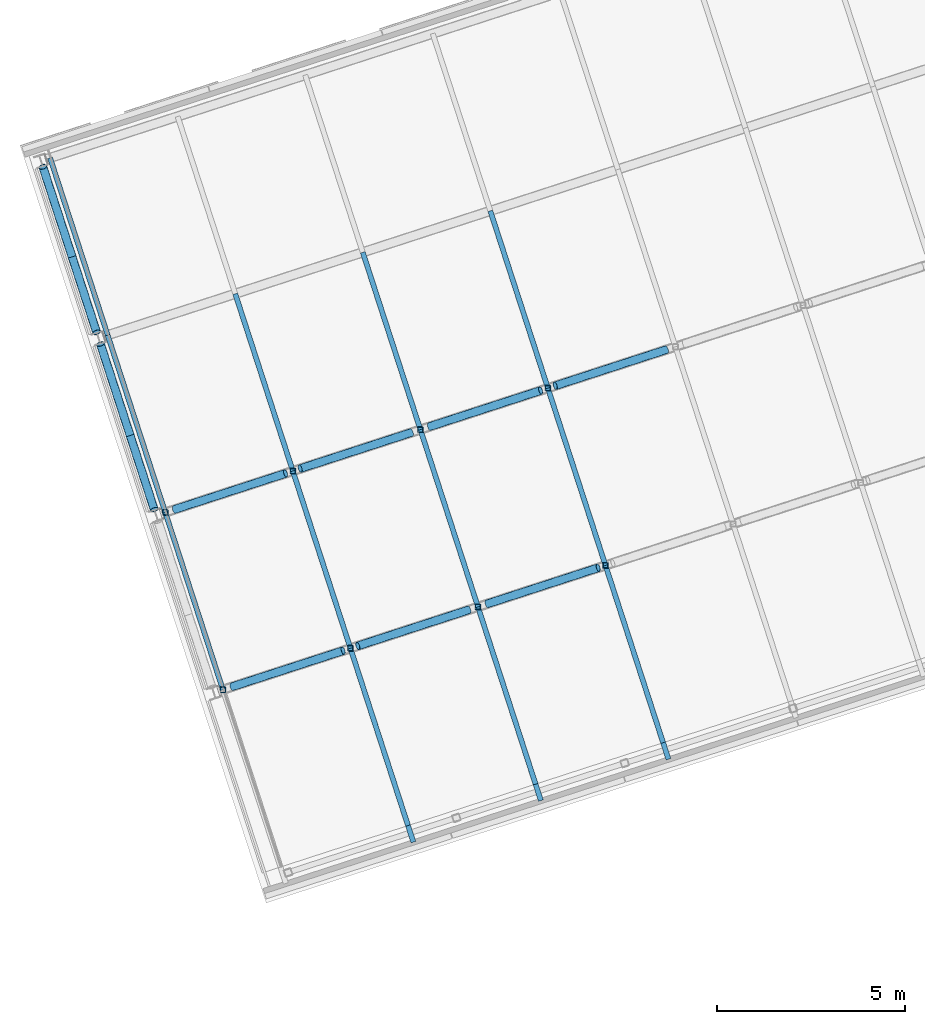
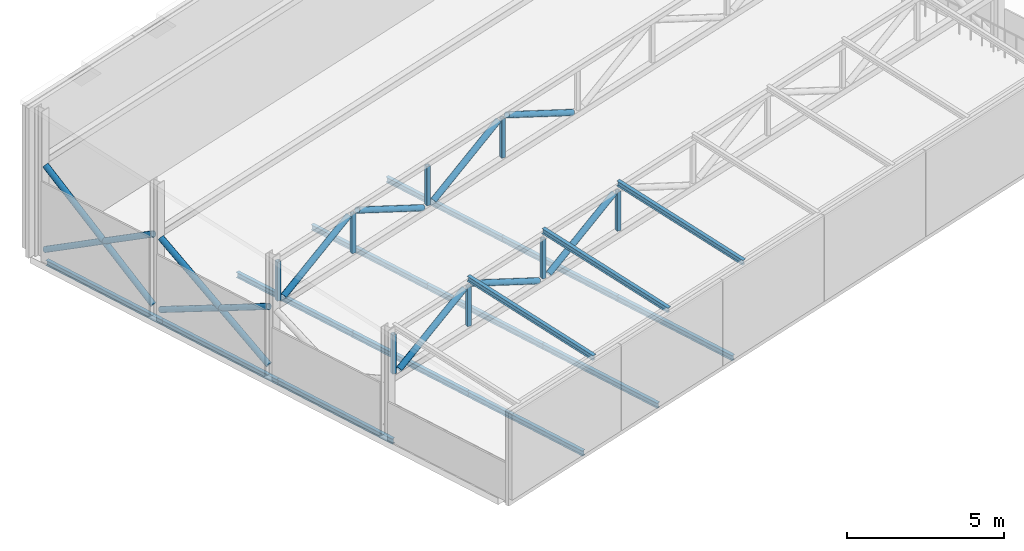
# One storey, part 5 of 49: 34 members.
"""IFC4 building model written with IfcOpenShell, lengths in metres."""

from ifc_helpers import new_model, si_unit, direction, frame, origin, origin_2d, place, context, subcontext, project, spatial, hollow_rectangle, hollow_circle, i_section, extrude, material, material_profile, profile_set, type_object, element, save


model = new_model("IFC4")

# Units and contexts
model_context = context("Model", 3, precision=1e-05, world=origin(), true_north=direction((0.0, 1.0)))
body_context = subcontext(model_context, "Body", "Model", "MODEL_VIEW")
ifc_project = project(units=[si_unit("LENGTHUNIT", "METRE"), si_unit("AREAUNIT", "SQUARE_METRE"), si_unit("VOLUMEUNIT", "CUBIC_METRE"), si_unit("PLANEANGLEUNIT", "RADIAN"), si_unit("MASSUNIT", "GRAM", prefix="KILO")], contexts=[model_context])

# Site, building, storey
site_placement = place(None, origin())
site = spatial("IfcSite", under=ifc_project, at=site_placement, CompositionType="ELEMENT")
building_placement = place(site_placement, origin())
building = spatial("IfcBuilding", under=site, at=building_placement, Name="Tuart Plaza Theatre", CompositionType="ELEMENT")
storey_placement = place(building_placement, frame((0.0, 0.0, 29.5)))
storey = spatial("IfcBuildingStorey", under=building, at=storey_placement, Name="L07", CompositionType="ELEMENT", Elevation=29.5)

# Members
ifc_material_1 = material(Name="Steel Grade C350L0", Category="steel")
ifc_material_profile_1 = material_profile(ifc_material_1, hollow_circle(Radius=0.109619140625, WallThickness=0.00830078125, at=origin_2d()), Name="219.1x8.2 CHS")
ifc_profile_set_1 = profile_set([ifc_material_profile_1], Name="Steel Grade C350L0")
member_type_1 = type_object("IfcMemberType", Name="MEMBER Brace 219.1x8.2 CHS", PredefinedType="BRACE", material=ifc_profile_set_1)
for number, where, z_axis, x_axis, name in (
    (1, (40.240966796875, 73.68505859375, 2.300048828125), (0.853572626097, 0.277345791654, 0.441013700273), (-0.30902025289, 0.951055457533, 0.0), "BR63"),
    (2, (43.579345703125, 74.769775390625, 3.824951171875), (0.853572626097, 0.277345791654, -0.441013700273), (-0.30902025289, 0.951055457533, 0.0), "BR64"),
    (3, (47.0146484375, 75.885986328125, 2.300048828125), (0.853572626097, 0.277345791654, 0.441013700273), (-0.30902025289, 0.951055457533, 0.0), "BR65"),
    (4, (38.71142578125, 78.392822265625, 2.8203125), (0.853572626097, 0.277345791654, 0.441013700273), (-0.30902025289, 0.951055457533, 0.0), "BR71"),
    (5, (42.0498046875, 79.4775390625, 4.34521484375), (0.853572626097, 0.277345791654, -0.441013700273), (-0.30902025289, 0.951055457533, 0.0), "BR72"),
    (6, (45.485107421875, 80.59375, 2.8203125), (0.853572626097, 0.277345791654, 0.441013700273), (-0.30902025289, 0.951055457533, 0.0), "BR73"),
    (7, (48.823486328125, 81.678466796875, 4.34521484375), (0.853572626097, 0.277345791654, -0.441013700273), (-0.30902025289, 0.951055457533, 0.0), "BR74"),
):
    element("IfcMember", number, at=place(storey_placement, frame(where, z_axis=z_axis, x_axis=x_axis)), inside=storey, type_object=member_type_1, Name=name, PredefinedType="BRACE", context=body_context, shape_type="SweptSolid", body=[
        extrude(hollow_circle(Radius=0.109619140625, WallThickness=0.00830078125, at=origin_2d()), origin(), (0.0, 0.0, 1.0), 3.457763671875),
    ])
member_1_placement = place(storey_placement, frame((38.176025390625, 78.390869140625, 0.347900390625), z_axis=(-0.265103502372, 0.815832018834, 0.513943819961), x_axis=(-0.951048426906, -0.309041889847, 0.0)))
element("IfcMember", 8, at=member_1_placement, inside=storey, type_object=member_type_1, Name="BR97", PredefinedType="BRACE", context=body_context, shape_type="SweptSolid", body=[
    extrude(hollow_circle(Radius=0.109619140625, WallThickness=0.00830078125, at=origin_2d()), origin(), (0.0, 0.0, 1.0), 5.38916015625),
])
member_2_placement = place(storey_placement, frame((38.176025390625, 78.390869140625, 2.614501953125), z_axis=(-0.277079326451, 0.85268653282, -0.442891322561), x_axis=(-0.951048426906, -0.309041889847, 0.0)))
element("IfcMember", 9, at=member_2_placement, inside=storey, type_object=member_type_1, Name="BR98", PredefinedType="BRACE", context=body_context, shape_type="SweptSolid", body=[
    extrude(hollow_circle(Radius=0.109619140625, WallThickness=0.00830078125, at=origin_2d()), origin(), (0.0, 0.0, 1.0), 5.15625),
])
member_3_placement = place(storey_placement, frame((36.646240234375, 83.098388671875, 0.365234375), z_axis=(-0.25264133164, 0.77761369706, 0.575751070942), x_axis=(-0.951063947435, -0.308994122741, 0.0)))
element("IfcMember", 10, at=member_3_placement, inside=storey, type_object=member_type_1, Name="BR99", PredefinedType="BRACE", context=body_context, shape_type="SweptSolid", body=[
    extrude(hollow_circle(Radius=0.109619140625, WallThickness=0.00830078125, at=origin_2d()), origin(), (0.0, 0.0, 1.0), 5.654052734375),
])
member_4_placement = place(storey_placement, frame((36.646240234375, 83.098388671875, 3.11767578125), z_axis=(-0.265061384036, 0.815841815946, -0.513949991777), x_axis=(-0.951063947435, -0.308994122741, 0.0)))
element("IfcMember", 11, at=member_4_placement, inside=storey, type_object=member_type_1, Name="BR100", PredefinedType="BRACE", context=body_context, shape_type="SweptSolid", body=[
    extrude(hollow_circle(Radius=0.109619140625, WallThickness=0.00830078125, at=origin_2d()), origin(), (0.0, 0.0, 1.0), 5.38916015625),
])
ifc_material_2 = material(Name="Steel Grade C350L0", Category="steel")
ifc_material_profile_2 = material_profile(ifc_material_2, hollow_rectangle(XDim=0.14990234375, YDim=0.14990234375, WallThickness=0.009033203125, InnerFilletRadius=0.009033203125, OuterFilletRadius=0.01806640625, at=origin_2d()), Name="150x150x9 SHS")
ifc_profile_set_2 = profile_set([ifc_material_profile_2], Name="Steel Grade C350L0")
member_type_2 = type_object("IfcMemberType", Name="MEMBER Post 150x150x9 SHS", PredefinedType="POST", material=ifc_profile_set_2)
for number, where, z_axis, x_axis, name in (
    (12, (39.9990234375, 73.6064453125, 2.300048828125), (0.0, 0.0, 1.0), (1.0, 0.0, 0.0), "PO72"),
    (13, (43.385986328125, 74.70703125, 2.300048828125), (0.0, 0.0, 1.0), (1.0, 0.0, 0.0), "PO73"),
    (14, (46.772705078125, 75.807373046875, 2.300048828125), (0.0, 0.0, 1.0), (1.0, 0.0, 0.0), "PO74"),
    (15, (50.15966796875, 76.90771484375, 2.300048828125), (0.0, 0.0, 1.0), (1.0, 0.0, 0.0), "PO75"),
    (16, (38.469482421875, 78.314208984375, 2.8203125), (0.0, 0.0, 1.0), (1.0, 0.0, 0.0), "PO81"),
    (17, (41.856201171875, 79.41455078125, 2.8203125), (0.0, 0.0, 1.0), (1.0, 0.0, 0.0), "PO82"),
    (18, (45.2431640625, 80.51513671875, 2.8203125), (0.0, 0.0, 1.0), (1.0, 0.0, 0.0), "PO83"),
    (19, (48.6298828125, 81.615478515625, 2.8203125), (0.0, 0.0, 1.0), (1.0, 0.0, 0.0), "PO84"),
):
    element("IfcMember", number, at=place(storey_placement, frame(where, z_axis=z_axis, x_axis=x_axis)), inside=storey, type_object=member_type_2, Name=name, PredefinedType="POST", context=body_context, shape_type="SweptSolid", body=[
        extrude(hollow_rectangle(XDim=0.14990234375, YDim=0.14990234375, WallThickness=0.009033203125, InnerFilletRadius=0.009033203125, OuterFilletRadius=0.01806640625, at=origin_2d()), origin(), (0.0, 0.0, 1.0), 1.52490234375),
    ])
ifc_material_3 = material(Name="Steel Grade 300", Category="steel")
ifc_material_profile_3 = material_profile(ifc_material_3, i_section(OverallWidth=0.133056640625, OverallDepth=0.202880859375, WebThickness=0.005859375, FlangeThickness=0.0078125, FilletRadius=0.0087890625, at=origin_2d()), Name="200UB25.4")
ifc_profile_set_3 = profile_set([ifc_material_profile_3], Name="Steel Grade 300")
member_type_3 = type_object("IfcMemberType", Name="MEMBER Purlin 200UB25.4", PredefinedType="PURLIN", material=ifc_profile_set_3)
member_5_placement = place(storey_placement, frame((39.9990234375, 73.6064453125, -0.3515625), z_axis=(-0.308997967382, 0.951062698329, 0.0), x_axis=(-0.951062698329, -0.308997967382, 0.0)))
element("IfcMember", 20, at=member_5_placement, inside=storey, type_object=member_type_3, Name="PU44", PredefinedType="PURLIN", context=body_context, shape_type="SweptSolid", body=[
    extrude(i_section(OverallWidth=0.133056640625, OverallDepth=0.202880859375, WebThickness=0.005859375, FlangeThickness=0.0078125, FilletRadius=0.0087890625, at=origin_2d()), origin(), (0.0, 0.0, 1.0), 4.949951171875),
])
member_6_placement = place(storey_placement, frame((38.469482421875, 78.314208984375, -0.3515625), z_axis=(-0.309042578481, 0.951048203135, 0.0), x_axis=(-0.951048203135, -0.309042578481, 0.0)))
element("IfcMember", 21, at=member_6_placement, inside=storey, type_object=member_type_3, Name="PU45", PredefinedType="PURLIN", context=body_context, shape_type="SweptSolid", body=[
    extrude(i_section(OverallWidth=0.133056640625, OverallDepth=0.202880859375, WebThickness=0.005859375, FlangeThickness=0.0078125, FilletRadius=0.0087890625, at=origin_2d()), origin(), (0.0, 0.0, 1.0), 4.9501953125),
])
for number, where, z_axis, x_axis, name in (
    (22, (36.939697265625, 83.02197265625, -0.3515625), (-0.308997967382, 0.951062698329, 0.0), (-0.951062698329, -0.308997967382, 0.0), "PU46"),
    (23, (44.91552734375, 69.999267578125, -0.3515625), (-0.308997967382, 0.951062698329, 0.0), (-0.951062698329, -0.308997967382, 0.0), "PU47"),
    (24, (43.385986328125, 74.70703125, -0.3515625), (-0.309057075145, 0.95104349233, 0.0), (-0.95104349233, -0.309057075145, 0.0), "PU48"),
    (25, (41.856201171875, 79.41455078125, -0.3515625), (-0.308997967382, 0.951062698329, 0.0), (-0.951062698329, -0.308997967382, 0.0), "PU49"),
):
    element("IfcMember", number, at=place(storey_placement, frame(where, z_axis=z_axis, x_axis=x_axis)), inside=storey, type_object=member_type_3, Name=name, PredefinedType="PURLIN", context=body_context, shape_type="SweptSolid", body=[
        extrude(i_section(OverallWidth=0.133056640625, OverallDepth=0.202880859375, WebThickness=0.005859375, FlangeThickness=0.0078125, FilletRadius=0.0087890625, at=origin_2d()), origin(), (0.0, 0.0, 1.0), 4.949951171875),
    ])
member_7_placement = place(storey_placement, frame((48.302490234375, 71.099609375, -0.3515625), z_axis=(-0.309042578481, 0.951048203135, 0.0), x_axis=(-0.951048203135, -0.309042578481, 0.0)))
element("IfcMember", 26, at=member_7_placement, inside=storey, type_object=member_type_3, Name="PU51", PredefinedType="PURLIN", context=body_context, shape_type="SweptSolid", body=[
    extrude(i_section(OverallWidth=0.133056640625, OverallDepth=0.202880859375, WebThickness=0.005859375, FlangeThickness=0.0078125, FilletRadius=0.0087890625, at=origin_2d()), origin(), (0.0, 0.0, 1.0), 4.9501953125),
])
member_8_placement = place(storey_placement, frame((46.772705078125, 75.807373046875, -0.3515625), z_axis=(-0.308997967382, 0.951062698329, 0.0), x_axis=(-0.951062698329, -0.308997967382, 0.0)))
element("IfcMember", 27, at=member_8_placement, inside=storey, type_object=member_type_3, Name="PU52", PredefinedType="PURLIN", context=body_context, shape_type="SweptSolid", body=[
    extrude(i_section(OverallWidth=0.133056640625, OverallDepth=0.202880859375, WebThickness=0.005859375, FlangeThickness=0.0078125, FilletRadius=0.0087890625, at=origin_2d()), origin(), (0.0, 0.0, 1.0), 4.949951171875),
])
member_9_placement = place(storey_placement, frame((45.2431640625, 80.51513671875, -0.3515625), z_axis=(-0.309042578481, 0.951048203135, 0.0), x_axis=(-0.951048203135, -0.309042578481, 0.0)))
element("IfcMember", 28, at=member_9_placement, inside=storey, type_object=member_type_3, Name="PU53", PredefinedType="PURLIN", context=body_context, shape_type="SweptSolid", body=[
    extrude(i_section(OverallWidth=0.133056640625, OverallDepth=0.202880859375, WebThickness=0.005859375, FlangeThickness=0.0078125, FilletRadius=0.0087890625, at=origin_2d()), origin(), (0.0, 0.0, 1.0), 4.9501953125),
])
member_10_placement = place(storey_placement, frame((51.689208984375, 72.2001953125, -0.3515625), z_axis=(-0.309012462396, 0.951057988813, 0.0), x_axis=(-0.951057988813, -0.309012462396, 0.0)))
element("IfcMember", 29, at=member_10_placement, inside=storey, type_object=member_type_3, Name="PU55", PredefinedType="PURLIN", context=body_context, shape_type="SweptSolid", body=[
    extrude(i_section(OverallWidth=0.133056640625, OverallDepth=0.202880859375, WebThickness=0.005859375, FlangeThickness=0.0078125, FilletRadius=0.0087890625, at=origin_2d()), origin(), (0.0, 0.0, 1.0), 4.94970703125),
])
member_11_placement = place(storey_placement, frame((50.15966796875, 76.90771484375, -0.3515625), z_axis=(-0.309042578481, 0.951048203135, 0.0), x_axis=(-0.951048203135, -0.309042578481, 0.0)))
element("IfcMember", 30, at=member_11_placement, inside=storey, type_object=member_type_3, Name="PU56", PredefinedType="PURLIN", context=body_context, shape_type="SweptSolid", body=[
    extrude(i_section(OverallWidth=0.133056640625, OverallDepth=0.202880859375, WebThickness=0.005859375, FlangeThickness=0.0078125, FilletRadius=0.0087890625, at=origin_2d()), origin(), (0.0, 0.0, 1.0), 4.9501953125),
])
member_12_placement = place(storey_placement, frame((48.6298828125, 81.615478515625, -0.3515625), z_axis=(-0.308997967382, 0.951062698329, 0.0), x_axis=(-0.951062698329, -0.308997967382, 0.0)))
element("IfcMember", 31, at=member_12_placement, inside=storey, type_object=member_type_3, Name="PU57", PredefinedType="PURLIN", context=body_context, shape_type="SweptSolid", body=[
    extrude(i_section(OverallWidth=0.133056640625, OverallDepth=0.202880859375, WebThickness=0.005859375, FlangeThickness=0.0078125, FilletRadius=0.0087890625, at=origin_2d()), origin(), (0.0, 0.0, 1.0), 4.949951171875),
])
for number, where, z_axis, x_axis, name in (
    (32, (45.0546875, 69.5712890625, 3.570068359375), (-0.307324819352, 0.945850021931, 0.10449493492), (-0.951056658866, -0.309016555588, 0.0), "PU83"),
    (33, (48.44140625, 70.671630859375, 3.570068359375), (-0.307324819352, 0.945850021931, 0.10449493492), (-0.951056658866, -0.309016555588, 0.0), "PU87"),
):
    element("IfcMember", number, at=place(storey_placement, frame(where, z_axis=z_axis, x_axis=x_axis)), inside=storey, type_object=member_type_3, Name=name, PredefinedType="PURLIN", context=body_context, shape_type="SweptSolid", body=[
        extrude(i_section(OverallWidth=0.133056640625, OverallDepth=0.202880859375, WebThickness=0.005859375, FlangeThickness=0.0078125, FilletRadius=0.0087890625, at=origin_2d()), origin(), (0.0, 0.0, 1.0), 5.4296875),
    ])
member_13_placement = place(storey_placement, frame((51.828369140625, 71.772216796875, 3.570068359375), z_axis=(-0.307337889979, 0.945845283937, 0.104499379124), x_axis=(-0.951052341342, -0.309029843265, 0.0)))
element("IfcMember", 34, at=member_13_placement, inside=storey, type_object=member_type_3, Name="PU91", PredefinedType="PURLIN", context=body_context, shape_type="SweptSolid", body=[
    extrude(i_section(OverallWidth=0.133056640625, OverallDepth=0.202880859375, WebThickness=0.005859375, FlangeThickness=0.0078125, FilletRadius=0.0087890625, at=origin_2d()), origin(), (0.0, 0.0, 1.0), 5.429443359375),
])

save(model, "model.ifc")
